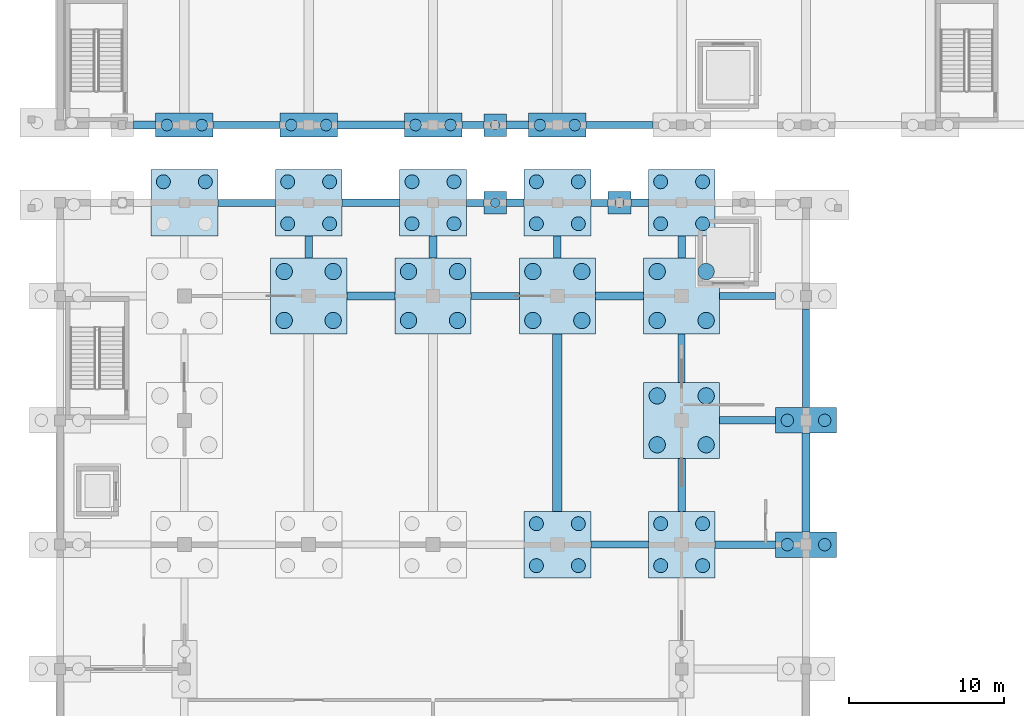
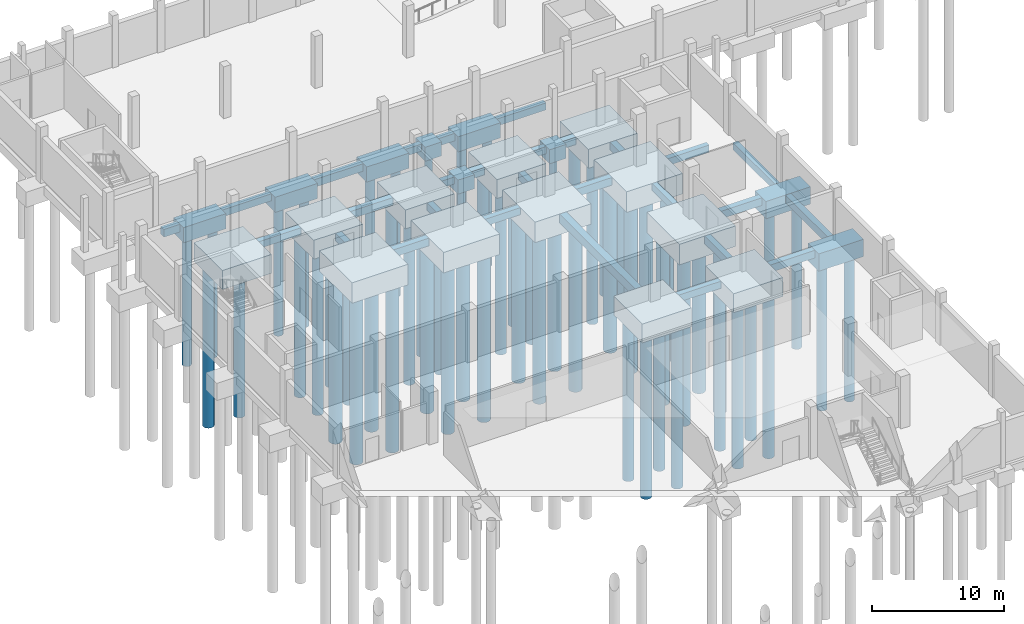
# One storey, part 6 of 52: 61 piles, 49 footings.
"""IFC4 building model written with IfcOpenShell, lengths in metres."""

from ifc_helpers import new_model, si_unit, direction, frame, origin, origin_2d, place, context, subcontext, project, spatial, polyline, rectangle, circle, outline, extrude, material, material_profile, profile_set, type_object, element, save


model = new_model("IFC4")

# Units and contexts
model_context = context("Model", 3, precision=1e-05, world=origin(), true_north=direction((0.0, 1.0)))
body_context = subcontext(model_context, "Body", "Model", "MODEL_VIEW")
ifc_project = project(units=[si_unit("LENGTHUNIT", "METRE"), si_unit("AREAUNIT", "SQUARE_METRE"), si_unit("VOLUMEUNIT", "CUBIC_METRE"), si_unit("PLANEANGLEUNIT", "RADIAN"), si_unit("MASSUNIT", "GRAM", prefix="KILO")], contexts=[model_context])

# Site, building, storey
site_placement = place(None, origin())
site = spatial("IfcSite", under=ifc_project, at=site_placement, CompositionType="ELEMENT")
building_placement = place(site_placement, origin())
building = spatial("IfcBuilding", under=site, at=building_placement, Name="Luwemba Playhouse", CompositionType="ELEMENT")
storey_placement = place(building_placement, frame((0.0, 0.0, -4.800048828125)))
storey = spatial("IfcBuildingStorey", under=building, at=storey_placement, Name="B1", CompositionType="ELEMENT", Elevation=-4.800048828125)

# Footings
ifc_material = material(Name="Concrete C32/40", Category="concrete")
ifc_material_profile_1 = material_profile(ifc_material, rectangle(XDim=0.449951171875, YDim=0.64990234375, at=origin_2d()))
ifc_profile_set_1 = profile_set([ifc_material_profile_1], Name="Concrete C32/40")
footing_type_1 = type_object("IfcFootingType", Name="FTBM-GB1", PredefinedType="FOOTING_BEAM", material=ifc_profile_set_1)
footing_1_placement = place(storey_placement, frame((38.14990234375, 68.0, -0.704833984375), z_axis=(1.0, 0.0, 0.0), x_axis=(0.0, 1.0, 0.0)))
element("IfcFooting", 1, at=footing_1_placement, inside=storey, type_object=footing_type_1, Name="Ground tie-beam 141", PredefinedType="FOOTING_BEAM", context=body_context, shape_type="SweptSolid", body=[
    extrude(rectangle(XDim=0.449951171875, YDim=0.64990234375, at=origin_2d()), origin(), (0.0, 0.0, 1.0), 3.7001953125),
])
footing_2_placement = place(storey_placement, frame((30.449951171875, 84.0, -0.704833984375), z_axis=(1.0, 0.0, 0.0), x_axis=(0.0, 1.0, 0.0)))
element("IfcFooting", 2, at=footing_2_placement, inside=storey, type_object=footing_type_1, Name="Ground tie-beam 163", PredefinedType="FOOTING_BEAM", context=body_context, shape_type="SweptSolid", body=[
    extrude(rectangle(XDim=0.449951171875, YDim=0.64990234375, at=origin_2d()), origin(), (0.0, 0.0, 1.0), 3.10009765625),
])
footing_3_placement = place(storey_placement, frame((46.449951171875, 84.0, -0.704833984375), z_axis=(1.0, 0.0, 0.0), x_axis=(0.0, 1.0, 0.0)))
element("IfcFooting", 3, at=footing_3_placement, inside=storey, type_object=footing_type_1, Name="Ground tie-beam 165", PredefinedType="FOOTING_BEAM", context=body_context, shape_type="SweptSolid", body=[
    extrude(rectangle(XDim=0.449951171875, YDim=0.64990234375, at=origin_2d()), origin(), (0.0, 0.0, 1.0), 3.60009765625),
])
footing_4_placement = place(storey_placement, frame((14.14990234375, 90.0, -0.704833984375), z_axis=(1.0, 0.0, 0.0), x_axis=(0.0, 1.0, 0.0)))
element("IfcFooting", 4, at=footing_4_placement, inside=storey, type_object=footing_type_1, Name="Ground tie-beam 173", PredefinedType="FOOTING_BEAM", context=body_context, shape_type="SweptSolid", body=[
    extrude(rectangle(XDim=0.449951171875, YDim=0.64990234375, at=origin_2d()), origin(), (0.0, 0.0, 1.0), 3.7001953125),
])
for number, where, z_axis, x_axis, name in (
    (5, (30.14990234375, 90.0, -0.704833984375), (1.0, 0.0, 0.0), (0.0, 1.0, 0.0), "Ground tie-beam 175"),
    (6, (38.14990234375, 90.0, -0.704833984375), (1.0, 0.0, 0.0), (0.0, 1.0, 0.0), "Ground tie-beam 177"),
):
    element("IfcFooting", number, at=place(storey_placement, frame(where, z_axis=z_axis, x_axis=x_axis)), inside=storey, type_object=footing_type_1, Name=name, PredefinedType="FOOTING_BEAM", context=body_context, shape_type="SweptSolid", body=[
        extrude(rectangle(XDim=0.449951171875, YDim=0.64990234375, at=origin_2d()), origin(), (0.0, 0.0, 1.0), 1.125),
    ])
footing_5_placement = place(storey_placement, frame((13.85009765625, 95.0, -0.704833984375), z_axis=(1.0, 0.0, 0.0), x_axis=(0.0, 1.0, 0.0)))
element("IfcFooting", 7, at=footing_5_placement, inside=storey, type_object=footing_type_1, Name="Ground tie-beam 193", PredefinedType="FOOTING_BEAM", context=body_context, shape_type="SweptSolid", body=[
    extrude(rectangle(XDim=0.449951171875, YDim=0.64990234375, at=origin_2d()), origin(), (0.0, 0.0, 1.0), 4.2998046875),
])
footing_6_placement = place(storey_placement, frame((29.85009765625, 95.0, -0.704833984375), z_axis=(1.0, 0.0, 0.0), x_axis=(0.0, 1.0, 0.0)))
element("IfcFooting", 8, at=footing_6_placement, inside=storey, type_object=footing_type_1, Name="Ground tie-beam 195", PredefinedType="FOOTING_BEAM", context=body_context, shape_type="SweptSolid", body=[
    extrude(rectangle(XDim=0.449951171875, YDim=0.64990234375, at=origin_2d()), origin(), (0.0, 0.0, 1.0), 1.4248046875),
])
footing_7_placement = place(storey_placement, frame((37.85009765625, 95.0, -0.704833984375), z_axis=(1.0, 0.0, 0.0), x_axis=(0.0, 1.0, 0.0)))
element("IfcFooting", 9, at=footing_7_placement, inside=storey, type_object=footing_type_1, Name="Ground tie-beam 197", PredefinedType="FOOTING_BEAM", context=body_context, shape_type="SweptSolid", body=[
    extrude(rectangle(XDim=0.449951171875, YDim=0.64990234375, at=origin_2d()), origin(), (0.0, 0.0, 1.0), 4.2998046875),
])
footing_8_placement = place(storey_placement, frame((44.0, 78.449951171875, -0.704833984375), z_axis=(0.0, 1.0, 0.0), x_axis=(-1.0, 0.0, 0.0)))
element("IfcFooting", 10, at=footing_8_placement, inside=storey, type_object=footing_type_1, Name="Ground tie-beam 325", PredefinedType="FOOTING_BEAM", context=body_context, shape_type="SweptSolid", body=[
    extrude(rectangle(XDim=0.449951171875, YDim=0.64990234375, at=origin_2d()), origin(), (0.0, 0.0, 1.0), 3.10009765625),
])
footing_9_placement = place(storey_placement, frame((52.0, 76.824951171875, -0.704833984375), z_axis=(0.0, 1.0, 0.0), x_axis=(-1.0, 0.0, 0.0)))
element("IfcFooting", 11, at=footing_9_placement, inside=storey, type_object=footing_type_1, Name="Ground tie-beam 337", PredefinedType="FOOTING_BEAM", context=body_context, shape_type="SweptSolid", body=[
    extrude(rectangle(XDim=0.449951171875, YDim=0.64990234375, at=origin_2d()), origin(), (0.0, 0.0, 1.0), 6.35009765625),
])
ifc_material_profile_2 = material_profile(ifc_material, rectangle(XDim=0.5, YDim=0.699951171875, at=origin_2d()))
ifc_profile_set_2 = profile_set([ifc_material_profile_2], Name="Concrete C32/40")
footing_type_2 = type_object("IfcFootingType", Name="FTBM-GB2", PredefinedType="FOOTING_BEAM", material=ifc_profile_set_2)
footing_10_placement = place(storey_placement, frame((46.14990234375, 68.0, -0.72998046875), z_axis=(1.0, 0.0, 0.0), x_axis=(0.0, 1.0, 0.0)))
element("IfcFooting", 12, at=footing_10_placement, inside=storey, type_object=footing_type_2, Name="Ground tie-beam 142", PredefinedType="FOOTING_BEAM", context=body_context, shape_type="SweptSolid", body=[
    extrude(rectangle(XDim=0.5, YDim=0.699951171875, at=origin_2d()), origin(), (0.0, 0.0, 1.0), 3.900146484375),
])
footing_11_placement = place(storey_placement, frame((46.449951171875, 76.0, -0.72998046875), z_axis=(1.0, 0.0, 0.0), x_axis=(0.0, 1.0, 0.0)))
element("IfcFooting", 13, at=footing_11_placement, inside=storey, type_object=footing_type_2, Name="Ground tie-beam 154", PredefinedType="FOOTING_BEAM", context=body_context, shape_type="SweptSolid", body=[
    extrude(rectangle(XDim=0.5, YDim=0.699951171875, at=origin_2d()), origin(), (0.0, 0.0, 1.0), 3.60009765625),
])
for number, where, z_axis, x_axis, name in (
    (14, (22.449951171875, 84.0, -0.72998046875), (1.0, 0.0, 0.0), (0.0, 1.0, 0.0), "Ground tie-beam 162"),
    (15, (38.449951171875, 84.0, -0.72998046875), (1.0, 0.0, 0.0), (0.0, 1.0, 0.0), "Ground tie-beam 164"),
):
    element("IfcFooting", number, at=place(storey_placement, frame(where, z_axis=z_axis, x_axis=x_axis)), inside=storey, type_object=footing_type_2, Name=name, PredefinedType="FOOTING_BEAM", context=body_context, shape_type="SweptSolid", body=[
        extrude(rectangle(XDim=0.5, YDim=0.699951171875, at=origin_2d()), origin(), (0.0, 0.0, 1.0), 3.10009765625),
    ])
footing_12_placement = place(storey_placement, frame((22.14990234375, 90.0, -0.72998046875), z_axis=(1.0, 0.0, 0.0), x_axis=(0.0, 1.0, 0.0)))
element("IfcFooting", 16, at=footing_12_placement, inside=storey, type_object=footing_type_2, Name="Ground tie-beam 174", PredefinedType="FOOTING_BEAM", context=body_context, shape_type="SweptSolid", body=[
    extrude(rectangle(XDim=0.5, YDim=0.699951171875, at=origin_2d()), origin(), (0.0, 0.0, 1.0), 3.7001953125),
])
for number, where, z_axis, x_axis, name in (
    (17, (32.72509765625, 90.0, -0.72998046875), (1.0, 0.0, 0.0), (0.0, 1.0, 0.0), "Ground tie-beam 176"),
    (18, (40.72509765625, 90.0, -0.72998046875), (1.0, 0.0, 0.0), (0.0, 1.0, 0.0), "Ground tie-beam 178"),
):
    element("IfcFooting", number, at=place(storey_placement, frame(where, z_axis=z_axis, x_axis=x_axis)), inside=storey, type_object=footing_type_2, Name=name, PredefinedType="FOOTING_BEAM", context=body_context, shape_type="SweptSolid", body=[
        extrude(rectangle(XDim=0.5, YDim=0.699951171875, at=origin_2d()), origin(), (0.0, 0.0, 1.0), 1.125),
    ])
footing_13_placement = place(storey_placement, frame((8.72509765625, 95.0, -0.72998046875), z_axis=(1.0, 0.0, 0.0), x_axis=(0.0, 1.0, 0.0)))
element("IfcFooting", 19, at=footing_13_placement, inside=storey, type_object=footing_type_2, Name="Ground tie-beam 192", PredefinedType="FOOTING_BEAM", context=body_context, shape_type="SweptSolid", body=[
    extrude(rectangle(XDim=0.5, YDim=0.699951171875, at=origin_2d()), origin(), (0.0, 0.0, 1.0), 1.4248046875),
])
footing_14_placement = place(storey_placement, frame((21.85009765625, 95.0, -0.72998046875), z_axis=(1.0, 0.0, 0.0), x_axis=(0.0, 1.0, 0.0)))
element("IfcFooting", 20, at=footing_14_placement, inside=storey, type_object=footing_type_2, Name="Ground tie-beam 194", PredefinedType="FOOTING_BEAM", context=body_context, shape_type="SweptSolid", body=[
    extrude(rectangle(XDim=0.5, YDim=0.699951171875, at=origin_2d()), origin(), (0.0, 0.0, 1.0), 4.2998046875),
])
footing_15_placement = place(storey_placement, frame((32.72509765625, 95.0, -0.72998046875), z_axis=(1.0, 0.0, 0.0), x_axis=(0.0, 1.0, 0.0)))
element("IfcFooting", 21, at=footing_15_placement, inside=storey, type_object=footing_type_2, Name="Ground tie-beam 196", PredefinedType="FOOTING_BEAM", context=body_context, shape_type="SweptSolid", body=[
    extrude(rectangle(XDim=0.5, YDim=0.699951171875, at=origin_2d()), origin(), (0.0, 0.0, 1.0), 1.4248046875),
])
for number, where, z_axis, x_axis, name in (
    (22, (20.0, 86.449951171875, -0.72998046875), (0.0, 1.0, 0.0), (-1.0, 0.0, 0.0), "Ground tie-beam 298"),
    (23, (28.0, 86.449951171875, -0.72998046875), (0.0, 1.0, 0.0), (-1.0, 0.0, 0.0), "Ground tie-beam 306"),
    (24, (36.0, 86.449951171875, -0.72998046875), (0.0, 1.0, 0.0), (-1.0, 0.0, 0.0), "Ground tie-beam 314"),
):
    element("IfcFooting", number, at=place(storey_placement, frame(where, z_axis=z_axis, x_axis=x_axis)), inside=storey, type_object=footing_type_2, Name=name, PredefinedType="FOOTING_BEAM", context=body_context, shape_type="SweptSolid", body=[
        extrude(rectangle(XDim=0.5, YDim=0.699951171875, at=origin_2d()), origin(), (0.0, 0.0, 1.0), 1.400146484375),
    ])
footing_16_placement = place(storey_placement, frame((44.0, 70.14990234375, -0.72998046875), z_axis=(0.0, 1.0, 0.0), x_axis=(-1.0, 0.0, 0.0)))
element("IfcFooting", 25, at=footing_16_placement, inside=storey, type_object=footing_type_2, Name="Ground tie-beam 324", PredefinedType="FOOTING_BEAM", context=body_context, shape_type="SweptSolid", body=[
    extrude(rectangle(XDim=0.5, YDim=0.699951171875, at=origin_2d()), origin(), (0.0, 0.0, 1.0), 3.400146484375),
])
footing_17_placement = place(storey_placement, frame((44.0, 86.449951171875, -0.72998046875), z_axis=(0.0, 1.0, 0.0), x_axis=(-1.0, 0.0, 0.0)))
element("IfcFooting", 26, at=footing_17_placement, inside=storey, type_object=footing_type_2, Name="Ground tie-beam 326", PredefinedType="FOOTING_BEAM", context=body_context, shape_type="SweptSolid", body=[
    extrude(rectangle(XDim=0.5, YDim=0.699951171875, at=origin_2d()), origin(), (0.0, 0.0, 1.0), 1.400146484375),
])
footing_18_placement = place(storey_placement, frame((52.0, 68.824951171875, -0.72998046875), z_axis=(0.0, 1.0, 0.0), x_axis=(-1.0, 0.0, 0.0)))
element("IfcFooting", 27, at=footing_18_placement, inside=storey, type_object=footing_type_2, Name="Ground tie-beam 336", PredefinedType="FOOTING_BEAM", context=body_context, shape_type="SweptSolid", body=[
    extrude(rectangle(XDim=0.5, YDim=0.699951171875, at=origin_2d()), origin(), (0.0, 0.0, 1.0), 6.35009765625),
])
ifc_material_profile_3 = material_profile(ifc_material, rectangle(XDim=0.60009765625, YDim=0.800048828125, at=origin_2d()))
ifc_profile_set_3 = profile_set([ifc_material_profile_3], Name="Concrete C32/40")
footing_type_3 = type_object("IfcFootingType", Name="FTBM-GB3", PredefinedType="FOOTING_BEAM", material=ifc_profile_set_3)
footing_19_placement = place(storey_placement, frame((36.0, 70.14990234375, -0.780029296875), z_axis=(0.0, 1.0, 0.0), x_axis=(-1.0, 0.0, 0.0)))
element("IfcFooting", 28, at=footing_19_placement, inside=storey, type_object=footing_type_3, Name="Ground tie-beam 313", PredefinedType="FOOTING_BEAM", context=body_context, shape_type="SweptSolid", body=[
    extrude(rectangle(XDim=0.60009765625, YDim=0.800048828125, at=origin_2d()), origin(), (0.0, 0.0, 1.0), 11.400146484375),
])
footing_type_4 = type_object("IfcFootingType", Name="FTG-PC02", PredefinedType="PILE_CAP", material=ifc_material)
footing_20_placement = place(storey_placement, frame((0.0, 0.0, -1.679931640625)))
element("IfcFooting", 29, at=footing_20_placement, inside=storey, type_object=footing_type_4, Name="Pile cap 248", PredefinedType="PILE_CAP", context=body_context, shape_type="SweptSolid", body=[
    extrude(outline(polyline([(31.27490234375, 89.27490234375), (32.72509765625, 89.27490234375), (32.72509765625, 90.72509765625), (31.27490234375, 90.72509765625), (31.27490234375, 89.27490234375)])), origin(), (0.0, 0.0, 1.0), 1.300048828125),
])
footing_21_placement = place(storey_placement, frame((0.0, 0.0, -1.679931640625)))
element("IfcFooting", 30, at=footing_21_placement, inside=storey, type_object=footing_type_4, Name="Pile cap 249", PredefinedType="PILE_CAP", context=body_context, shape_type="SweptSolid", body=[
    extrude(outline(polyline([(39.27490234375, 89.27490234375), (40.72509765625, 89.27490234375), (40.72509765625, 90.72509765625), (39.27490234375, 90.72509765625), (39.27490234375, 89.27490234375)])), origin(), (0.0, 0.0, 1.0), 1.300048828125),
])
footing_22_placement = place(storey_placement, frame((0.0, 0.0, -1.679931640625)))
element("IfcFooting", 31, at=footing_22_placement, inside=storey, type_object=footing_type_4, Name="Pile cap 277", PredefinedType="PILE_CAP", context=body_context, shape_type="SweptSolid", body=[
    extrude(outline(polyline([(31.27490234375, 94.27490234375), (32.72509765625, 94.27490234375), (32.72509765625, 95.72509765625), (31.27490234375, 95.72509765625), (31.27490234375, 94.27490234375)])), origin(), (0.0, 0.0, 1.0), 1.300048828125),
])
footing_type_5 = type_object("IfcFootingType", Name="FTG-PC04", PredefinedType="PILE_CAP", material=ifc_material)
footing_23_placement = place(storey_placement, frame((0.0, 0.0, -1.97998046875)))
element("IfcFooting", 32, at=footing_23_placement, inside=storey, type_object=footing_type_5, Name="Pile cap 200", PredefinedType="PILE_CAP", context=body_context, shape_type="SweptSolid", body=[
    extrude(outline(polyline([(50.050048828125, 67.175048828125), (53.949951171875, 67.175048828125), (53.949951171875, 68.824951171875), (50.050048828125, 68.824951171875), (50.050048828125, 67.175048828125)])), origin(), (0.0, 0.0, 1.0), 1.60009765625),
])
footing_24_placement = place(storey_placement, frame((0.0, 0.0, -1.97998046875)))
element("IfcFooting", 33, at=footing_24_placement, inside=storey, type_object=footing_type_5, Name="Pile cap 215", PredefinedType="PILE_CAP", context=body_context, shape_type="SweptSolid", body=[
    extrude(outline(polyline([(50.050048828125, 75.175048828125), (53.949951171875, 75.175048828125), (53.949951171875, 76.824951171875), (50.050048828125, 76.824951171875), (50.050048828125, 75.175048828125)])), origin(), (0.0, 0.0, 1.0), 1.60009765625),
])
footing_type_6 = type_object("IfcFootingType", Name="FTG-PC05", PredefinedType="PILE_CAP", material=ifc_material)
footing_25_placement = place(storey_placement, frame((0.0, 0.0, -1.780029296875)))
element("IfcFooting", 34, at=footing_25_placement, inside=storey, type_object=footing_type_6, Name="Pile cap 266", PredefinedType="PILE_CAP", context=body_context, shape_type="SweptSolid", body=[
    extrude(outline(polyline([(10.14990234375, 94.22509765625), (13.85009765625, 94.22509765625), (13.85009765625, 95.77490234375), (10.14990234375, 95.77490234375), (10.14990234375, 94.22509765625)])), origin(), (0.0, 0.0, 1.0), 1.400146484375),
])
footing_26_placement = place(storey_placement, frame((0.0, 0.0, -1.780029296875)))
element("IfcFooting", 35, at=footing_26_placement, inside=storey, type_object=footing_type_6, Name="Pile cap 267", PredefinedType="PILE_CAP", context=body_context, shape_type="SweptSolid", body=[
    extrude(outline(polyline([(18.14990234375, 94.22509765625), (21.85009765625, 94.22509765625), (21.85009765625, 95.77490234375), (18.14990234375, 95.77490234375), (18.14990234375, 94.22509765625)])), origin(), (0.0, 0.0, 1.0), 1.400146484375),
])
footing_27_placement = place(storey_placement, frame((0.0, 0.0, -1.780029296875)))
element("IfcFooting", 36, at=footing_27_placement, inside=storey, type_object=footing_type_6, Name="Pile cap 268", PredefinedType="PILE_CAP", context=body_context, shape_type="SweptSolid", body=[
    extrude(outline(polyline([(26.14990234375, 94.22509765625), (29.85009765625, 94.22509765625), (29.85009765625, 95.77490234375), (26.14990234375, 95.77490234375), (26.14990234375, 94.22509765625)])), origin(), (0.0, 0.0, 1.0), 1.400146484375),
])
footing_28_placement = place(storey_placement, frame((0.0, 0.0, -1.780029296875)))
element("IfcFooting", 37, at=footing_28_placement, inside=storey, type_object=footing_type_6, Name="Pile cap 269", PredefinedType="PILE_CAP", context=body_context, shape_type="SweptSolid", body=[
    extrude(outline(polyline([(34.14990234375, 94.22509765625), (37.85009765625, 94.22509765625), (37.85009765625, 95.77490234375), (34.14990234375, 95.77490234375), (34.14990234375, 94.22509765625)])), origin(), (0.0, 0.0, 1.0), 1.400146484375),
])
footing_type_7 = type_object("IfcFootingType", Name="FTG-PC21", PredefinedType="PILE_CAP", material=ifc_material)
footing_29_placement = place(storey_placement, frame((0.0, 0.0, -2.1298828125)))
element("IfcFooting", 38, at=footing_29_placement, inside=storey, type_object=footing_type_7, Name="Pile cap 194", PredefinedType="PILE_CAP", context=body_context, shape_type="SweptSolid", body=[
    extrude(outline(polyline([(33.85009765625, 65.85009765625), (38.14990234375, 65.85009765625), (38.14990234375, 70.14990234375), (33.85009765625, 70.14990234375), (33.85009765625, 65.85009765625)])), origin(), (0.0, 0.0, 1.0), 1.75),
])
footing_30_placement = place(storey_placement, frame((0.0, 0.0, -2.1298828125)))
element("IfcFooting", 39, at=footing_30_placement, inside=storey, type_object=footing_type_7, Name="Pile cap 195", PredefinedType="PILE_CAP", context=body_context, shape_type="SweptSolid", body=[
    extrude(outline(polyline([(41.85009765625, 65.85009765625), (46.14990234375, 65.85009765625), (46.14990234375, 70.14990234375), (41.85009765625, 70.14990234375), (41.85009765625, 65.85009765625)])), origin(), (0.0, 0.0, 1.0), 1.75),
])
footing_31_placement = place(storey_placement, frame((0.0, 0.0, -2.1298828125)))
element("IfcFooting", 40, at=footing_31_placement, inside=storey, type_object=footing_type_7, Name="Pile cap 233", PredefinedType="PILE_CAP", context=body_context, shape_type="SweptSolid", body=[
    extrude(outline(polyline([(9.85009765625, 87.85009765625), (14.14990234375, 87.85009765625), (14.14990234375, 92.14990234375), (9.85009765625, 92.14990234375), (9.85009765625, 87.85009765625)])), origin(), (0.0, 0.0, 1.0), 1.75),
])
footing_32_placement = place(storey_placement, frame((0.0, 0.0, -2.1298828125)))
element("IfcFooting", 41, at=footing_32_placement, inside=storey, type_object=footing_type_7, Name="Pile cap 234", PredefinedType="PILE_CAP", context=body_context, shape_type="SweptSolid", body=[
    extrude(outline(polyline([(17.85009765625, 87.85009765625), (22.14990234375, 87.85009765625), (22.14990234375, 92.14990234375), (17.85009765625, 92.14990234375), (17.85009765625, 87.85009765625)])), origin(), (0.0, 0.0, 1.0), 1.75),
])
footing_33_placement = place(storey_placement, frame((0.0, 0.0, -2.1298828125)))
element("IfcFooting", 42, at=footing_33_placement, inside=storey, type_object=footing_type_7, Name="Pile cap 235", PredefinedType="PILE_CAP", context=body_context, shape_type="SweptSolid", body=[
    extrude(outline(polyline([(25.85009765625, 87.85009765625), (30.14990234375, 87.85009765625), (30.14990234375, 92.14990234375), (25.85009765625, 92.14990234375), (25.85009765625, 87.85009765625)])), origin(), (0.0, 0.0, 1.0), 1.75),
])
footing_34_placement = place(storey_placement, frame((0.0, 0.0, -2.1298828125)))
element("IfcFooting", 43, at=footing_34_placement, inside=storey, type_object=footing_type_7, Name="Pile cap 236", PredefinedType="PILE_CAP", context=body_context, shape_type="SweptSolid", body=[
    extrude(outline(polyline([(33.85009765625, 87.85009765625), (38.14990234375, 87.85009765625), (38.14990234375, 92.14990234375), (33.85009765625, 92.14990234375), (33.85009765625, 87.85009765625)])), origin(), (0.0, 0.0, 1.0), 1.75),
])
footing_35_placement = place(storey_placement, frame((0.0, 0.0, -2.1298828125)))
element("IfcFooting", 44, at=footing_35_placement, inside=storey, type_object=footing_type_7, Name="Pile cap 237", PredefinedType="PILE_CAP", context=body_context, shape_type="SweptSolid", body=[
    extrude(outline(polyline([(41.85009765625, 87.85009765625), (46.14990234375, 87.85009765625), (46.14990234375, 92.14990234375), (41.85009765625, 92.14990234375), (41.85009765625, 87.85009765625)])), origin(), (0.0, 0.0, 1.0), 1.75),
])
footing_type_8 = type_object("IfcFootingType", Name="FTG-PC22", PredefinedType="PILE_CAP", material=ifc_material)
footing_36_placement = place(storey_placement, frame((0.0, 0.0, -2.280029296875)))
element("IfcFooting", 45, at=footing_36_placement, inside=storey, type_object=footing_type_8, Name="Pile cap 211", PredefinedType="PILE_CAP", context=body_context, shape_type="SweptSolid", body=[
    extrude(outline(polyline([(41.550048828125, 73.550048828125), (46.449951171875, 73.550048828125), (46.449951171875, 78.449951171875), (41.550048828125, 78.449951171875), (41.550048828125, 73.550048828125)])), origin(), (0.0, 0.0, 1.0), 1.900146484375),
])
footing_37_placement = place(storey_placement, frame((0.0, 0.0, -2.280029296875)))
element("IfcFooting", 46, at=footing_37_placement, inside=storey, type_object=footing_type_8, Name="Pile cap 221", PredefinedType="PILE_CAP", context=body_context, shape_type="SweptSolid", body=[
    extrude(outline(polyline([(17.550048828125, 81.550048828125), (22.449951171875, 81.550048828125), (22.449951171875, 86.449951171875), (17.550048828125, 86.449951171875), (17.550048828125, 81.550048828125)])), origin(), (0.0, 0.0, 1.0), 1.900146484375),
])
footing_38_placement = place(storey_placement, frame((0.0, 0.0, -2.280029296875)))
element("IfcFooting", 47, at=footing_38_placement, inside=storey, type_object=footing_type_8, Name="Pile cap 222", PredefinedType="PILE_CAP", context=body_context, shape_type="SweptSolid", body=[
    extrude(outline(polyline([(25.550048828125, 81.550048828125), (30.449951171875, 81.550048828125), (30.449951171875, 86.449951171875), (25.550048828125, 86.449951171875), (25.550048828125, 81.550048828125)])), origin(), (0.0, 0.0, 1.0), 1.900146484375),
])
footing_39_placement = place(storey_placement, frame((0.0, 0.0, -2.280029296875)))
element("IfcFooting", 48, at=footing_39_placement, inside=storey, type_object=footing_type_8, Name="Pile cap 223", PredefinedType="PILE_CAP", context=body_context, shape_type="SweptSolid", body=[
    extrude(outline(polyline([(33.550048828125, 81.550048828125), (38.449951171875, 81.550048828125), (38.449951171875, 86.449951171875), (33.550048828125, 86.449951171875), (33.550048828125, 81.550048828125)])), origin(), (0.0, 0.0, 1.0), 1.900146484375),
])
footing_40_placement = place(storey_placement, frame((0.0, 0.0, -2.280029296875)))
element("IfcFooting", 49, at=footing_40_placement, inside=storey, type_object=footing_type_8, Name="Pile cap 224", PredefinedType="PILE_CAP", context=body_context, shape_type="SweptSolid", body=[
    extrude(outline(polyline([(41.550048828125, 81.550048828125), (46.449951171875, 81.550048828125), (46.449951171875, 86.449951171875), (41.550048828125, 86.449951171875), (41.550048828125, 81.550048828125)])), origin(), (0.0, 0.0, 1.0), 1.900146484375),
])

# Piles
ifc_material_profile_4 = material_profile(ifc_material, circle(Radius=0.300048828125, at=origin_2d()))
ifc_profile_set_4 = profile_set([ifc_material_profile_4], Name="Concrete C32/40")
pile_type_1 = type_object("IfcPileType", Name="PILE-BP1", PredefinedType="BORED", material=ifc_profile_set_4)
for number, where, z_axis, x_axis, name in (
    (50, (32.0, 90.0, -1.579833984375), (0.0, 0.0, -1.0), (1.0, 0.0, 0.0), "Bored pile 449"),
    (51, (40.0, 90.0, -1.579833984375), (0.0, 0.0, -1.0), (1.0, 0.0, 0.0), "Bored pile 450"),
    (52, (32.0, 95.0, -1.579833984375), (0.0, 0.0, -1.0), (1.0, 0.0, 0.0), "Bored pile 509"),
):
    element("IfcPile", number, at=place(storey_placement, frame(where, z_axis=z_axis, x_axis=x_axis)), inside=storey, type_object=pile_type_1, Name=name, PredefinedType="BORED", context=body_context, shape_type="SweptSolid", body=[
        extrude(circle(Radius=0.300048828125, at=origin_2d()), origin(), (0.0, 0.0, 1.0), 11.5),
    ])
ifc_material_profile_5 = material_profile(ifc_material, circle(Radius=0.375, at=origin_2d()))
ifc_profile_set_5 = profile_set([ifc_material_profile_5], Name="Concrete C32/40")
pile_type_2 = type_object("IfcPileType", Name="PILE-BP2", PredefinedType="BORED", material=ifc_profile_set_5)
for number, where, z_axis, x_axis, name in (
    (53, (10.875, 95.0, -1.679931640625), (0.0, 0.0, -1.0), (1.0, 0.0, 0.0), "Bored pile 488"),
    (54, (13.125, 95.0, -1.679931640625), (0.0, 0.0, -1.0), (1.0, 0.0, 0.0), "Bored pile 489"),
    (55, (18.875, 95.0, -1.679931640625), (0.0, 0.0, -1.0), (1.0, 0.0, 0.0), "Bored pile 490"),
    (56, (21.125, 95.0, -1.679931640625), (0.0, 0.0, -1.0), (1.0, 0.0, 0.0), "Bored pile 491"),
    (57, (26.875, 95.0, -1.679931640625), (0.0, 0.0, -1.0), (1.0, 0.0, 0.0), "Bored pile 492"),
    (58, (29.125, 95.0, -1.679931640625), (0.0, 0.0, -1.0), (1.0, 0.0, 0.0), "Bored pile 493"),
    (59, (34.875, 95.0, -1.679931640625), (0.0, 0.0, -1.0), (1.0, 0.0, 0.0), "Bored pile 494"),
    (60, (37.125, 95.0, -1.679931640625), (0.0, 0.0, -1.0), (1.0, 0.0, 0.0), "Bored pile 495"),
):
    element("IfcPile", number, at=place(storey_placement, frame(where, z_axis=z_axis, x_axis=x_axis)), inside=storey, type_object=pile_type_2, Name=name, PredefinedType="BORED", context=body_context, shape_type="SweptSolid", body=[
        extrude(circle(Radius=0.375, at=origin_2d()), origin(), (0.0, 0.0, 1.0), 12.0),
    ])
ifc_material_profile_6 = material_profile(ifc_material, circle(Radius=0.39990234375, at=origin_2d()))
ifc_profile_set_6 = profile_set([ifc_material_profile_6], Name="Concrete C32/40")
pile_type_3 = type_object("IfcPileType", Name="PILE-BP3", PredefinedType="BORED", material=ifc_profile_set_6)
for number, where, z_axis, x_axis, name in (
    (61, (50.800048828125, 68.0, -1.8798828125), (0.0, 0.0, -1.0), (1.0, 0.0, 0.0), "Bored pile 337"),
    (62, (53.199951171875, 68.0, -1.8798828125), (0.0, 0.0, -1.0), (1.0, 0.0, 0.0), "Bored pile 338"),
    (63, (50.800048828125, 76.0, -1.8798828125), (0.0, 0.0, -1.0), (1.0, 0.0, 0.0), "Bored pile 365"),
    (64, (53.199951171875, 76.0, -1.8798828125), (0.0, 0.0, -1.0), (1.0, 0.0, 0.0), "Bored pile 366"),
):
    element("IfcPile", number, at=place(storey_placement, frame(where, z_axis=z_axis, x_axis=x_axis)), inside=storey, type_object=pile_type_3, Name=name, PredefinedType="BORED", context=body_context, shape_type="SweptSolid", body=[
        extrude(circle(Radius=0.39990234375, at=origin_2d()), origin(), (0.0, 0.0, 1.0), 13.5),
    ])
ifc_material_profile_7 = material_profile(ifc_material, circle(Radius=0.449951171875, at=origin_2d()))
ifc_profile_set_7 = profile_set([ifc_material_profile_7], Name="Concrete C32/40")
pile_type_4 = type_object("IfcPileType", Name="PILE-BP4", PredefinedType="BORED", material=ifc_profile_set_7)
for number, where, z_axis, x_axis, name in (
    (65, (34.64990234375, 66.64990234375, -2.030029296875), (0.0, 0.0, -1.0), (1.0, 0.0, 0.0), "Bored pile 321"),
    (66, (34.64990234375, 69.35009765625, -2.030029296875), (0.0, 0.0, -1.0), (1.0, 0.0, 0.0), "Bored pile 322"),
    (67, (37.35009765625, 66.64990234375, -2.030029296875), (0.0, 0.0, -1.0), (1.0, 0.0, 0.0), "Bored pile 323"),
    (68, (37.35009765625, 69.35009765625, -2.030029296875), (0.0, 0.0, -1.0), (1.0, 0.0, 0.0), "Bored pile 324"),
    (69, (42.64990234375, 66.64990234375, -2.030029296875), (0.0, 0.0, -1.0), (1.0, 0.0, 0.0), "Bored pile 325"),
    (70, (42.64990234375, 69.35009765625, -2.030029296875), (0.0, 0.0, -1.0), (1.0, 0.0, 0.0), "Bored pile 326"),
    (71, (45.35009765625, 66.64990234375, -2.030029296875), (0.0, 0.0, -1.0), (1.0, 0.0, 0.0), "Bored pile 327"),
    (72, (45.35009765625, 69.35009765625, -2.030029296875), (0.0, 0.0, -1.0), (1.0, 0.0, 0.0), "Bored pile 328"),
    (73, (10.64990234375, 91.35009765625, -2.030029296875), (0.0, 0.0, -1.0), (1.0, 0.0, 0.0), "Bored pile 412"),
    (74, (13.35009765625, 91.35009765625, -2.030029296875), (0.0, 0.0, -1.0), (1.0, 0.0, 0.0), "Bored pile 414"),
    (75, (18.64990234375, 88.64990234375, -2.030029296875), (0.0, 0.0, -1.0), (1.0, 0.0, 0.0), "Bored pile 415"),
    (76, (18.64990234375, 91.35009765625, -2.030029296875), (0.0, 0.0, -1.0), (1.0, 0.0, 0.0), "Bored pile 416"),
    (77, (21.35009765625, 88.64990234375, -2.030029296875), (0.0, 0.0, -1.0), (1.0, 0.0, 0.0), "Bored pile 417"),
    (78, (21.35009765625, 91.35009765625, -2.030029296875), (0.0, 0.0, -1.0), (1.0, 0.0, 0.0), "Bored pile 418"),
    (79, (26.64990234375, 88.64990234375, -2.030029296875), (0.0, 0.0, -1.0), (1.0, 0.0, 0.0), "Bored pile 419"),
    (80, (26.64990234375, 91.35009765625, -2.030029296875), (0.0, 0.0, -1.0), (1.0, 0.0, 0.0), "Bored pile 420"),
    (81, (29.35009765625, 88.64990234375, -2.030029296875), (0.0, 0.0, -1.0), (1.0, 0.0, 0.0), "Bored pile 421"),
    (82, (29.35009765625, 91.35009765625, -2.030029296875), (0.0, 0.0, -1.0), (1.0, 0.0, 0.0), "Bored pile 422"),
    (83, (34.64990234375, 88.64990234375, -2.030029296875), (0.0, 0.0, -1.0), (1.0, 0.0, 0.0), "Bored pile 423"),
    (84, (34.64990234375, 91.35009765625, -2.030029296875), (0.0, 0.0, -1.0), (1.0, 0.0, 0.0), "Bored pile 424"),
    (85, (37.35009765625, 88.64990234375, -2.030029296875), (0.0, 0.0, -1.0), (1.0, 0.0, 0.0), "Bored pile 425"),
    (86, (37.35009765625, 91.35009765625, -2.030029296875), (0.0, 0.0, -1.0), (1.0, 0.0, 0.0), "Bored pile 426"),
    (87, (42.64990234375, 88.64990234375, -2.030029296875), (0.0, 0.0, -1.0), (1.0, 0.0, 0.0), "Bored pile 427"),
    (88, (42.64990234375, 91.35009765625, -2.030029296875), (0.0, 0.0, -1.0), (1.0, 0.0, 0.0), "Bored pile 428"),
    (89, (45.35009765625, 88.64990234375, -2.030029296875), (0.0, 0.0, -1.0), (1.0, 0.0, 0.0), "Bored pile 429"),
    (90, (45.35009765625, 91.35009765625, -2.030029296875), (0.0, 0.0, -1.0), (1.0, 0.0, 0.0), "Bored pile 430"),
):
    element("IfcPile", number, at=place(storey_placement, frame(where, z_axis=z_axis, x_axis=x_axis)), inside=storey, type_object=pile_type_4, Name=name, PredefinedType="BORED", context=body_context, shape_type="SweptSolid", body=[
        extrude(circle(Radius=0.449951171875, at=origin_2d()), origin(), (0.0, 0.0, 1.0), 15.0),
    ])
ifc_material_profile_8 = material_profile(ifc_material, circle(Radius=0.52490234375, at=origin_2d()))
ifc_profile_set_8 = profile_set([ifc_material_profile_8], Name="Concrete C32/40")
pile_type_5 = type_object("IfcPileType", Name="PILE-BP5", PredefinedType="BORED", material=ifc_profile_set_8)
for number, where, z_axis, x_axis, name in (
    (91, (42.425048828125, 74.425048828125, -2.179931640625), (0.0, 0.0, -1.0), (1.0, 0.0, 0.0), "Bored pile 355"),
    (92, (42.425048828125, 77.574951171875, -2.179931640625), (0.0, 0.0, -1.0), (1.0, 0.0, 0.0), "Bored pile 356"),
    (93, (45.574951171875, 74.425048828125, -2.179931640625), (0.0, 0.0, -1.0), (1.0, 0.0, 0.0), "Bored pile 357"),
    (94, (45.574951171875, 77.574951171875, -2.179931640625), (0.0, 0.0, -1.0), (1.0, 0.0, 0.0), "Bored pile 358"),
    (95, (18.425048828125, 82.425048828125, -2.179931640625), (0.0, 0.0, -1.0), (1.0, 0.0, 0.0), "Bored pile 379"),
    (96, (18.425048828125, 85.574951171875, -2.179931640625), (0.0, 0.0, -1.0), (1.0, 0.0, 0.0), "Bored pile 380"),
    (97, (21.574951171875, 82.425048828125, -2.179931640625), (0.0, 0.0, -1.0), (1.0, 0.0, 0.0), "Bored pile 381"),
    (98, (21.574951171875, 85.574951171875, -2.179931640625), (0.0, 0.0, -1.0), (1.0, 0.0, 0.0), "Bored pile 382"),
    (99, (26.425048828125, 82.425048828125, -2.179931640625), (0.0, 0.0, -1.0), (1.0, 0.0, 0.0), "Bored pile 383"),
    (100, (26.425048828125, 85.574951171875, -2.179931640625), (0.0, 0.0, -1.0), (1.0, 0.0, 0.0), "Bored pile 384"),
    (101, (29.574951171875, 82.425048828125, -2.179931640625), (0.0, 0.0, -1.0), (1.0, 0.0, 0.0), "Bored pile 385"),
    (102, (29.574951171875, 85.574951171875, -2.179931640625), (0.0, 0.0, -1.0), (1.0, 0.0, 0.0), "Bored pile 386"),
    (103, (34.425048828125, 82.425048828125, -2.179931640625), (0.0, 0.0, -1.0), (1.0, 0.0, 0.0), "Bored pile 387"),
    (104, (34.425048828125, 85.574951171875, -2.179931640625), (0.0, 0.0, -1.0), (1.0, 0.0, 0.0), "Bored pile 388"),
    (105, (37.574951171875, 82.425048828125, -2.179931640625), (0.0, 0.0, -1.0), (1.0, 0.0, 0.0), "Bored pile 389"),
    (106, (37.574951171875, 85.574951171875, -2.179931640625), (0.0, 0.0, -1.0), (1.0, 0.0, 0.0), "Bored pile 390"),
    (107, (42.425048828125, 82.425048828125, -2.179931640625), (0.0, 0.0, -1.0), (1.0, 0.0, 0.0), "Bored pile 391"),
    (108, (42.425048828125, 85.574951171875, -2.179931640625), (0.0, 0.0, -1.0), (1.0, 0.0, 0.0), "Bored pile 392"),
    (109, (45.574951171875, 82.425048828125, -2.179931640625), (0.0, 0.0, -1.0), (1.0, 0.0, 0.0), "Bored pile 393"),
    (110, (45.574951171875, 85.574951171875, -2.179931640625), (0.0, 0.0, -1.0), (1.0, 0.0, 0.0), "Bored pile 394"),
):
    element("IfcPile", number, at=place(storey_placement, frame(where, z_axis=z_axis, x_axis=x_axis)), inside=storey, type_object=pile_type_5, Name=name, PredefinedType="BORED", context=body_context, shape_type="SweptSolid", body=[
        extrude(circle(Radius=0.52490234375, at=origin_2d()), origin(), (0.0, 0.0, 1.0), 15.5),
    ])

save(model, "model.ifc")
